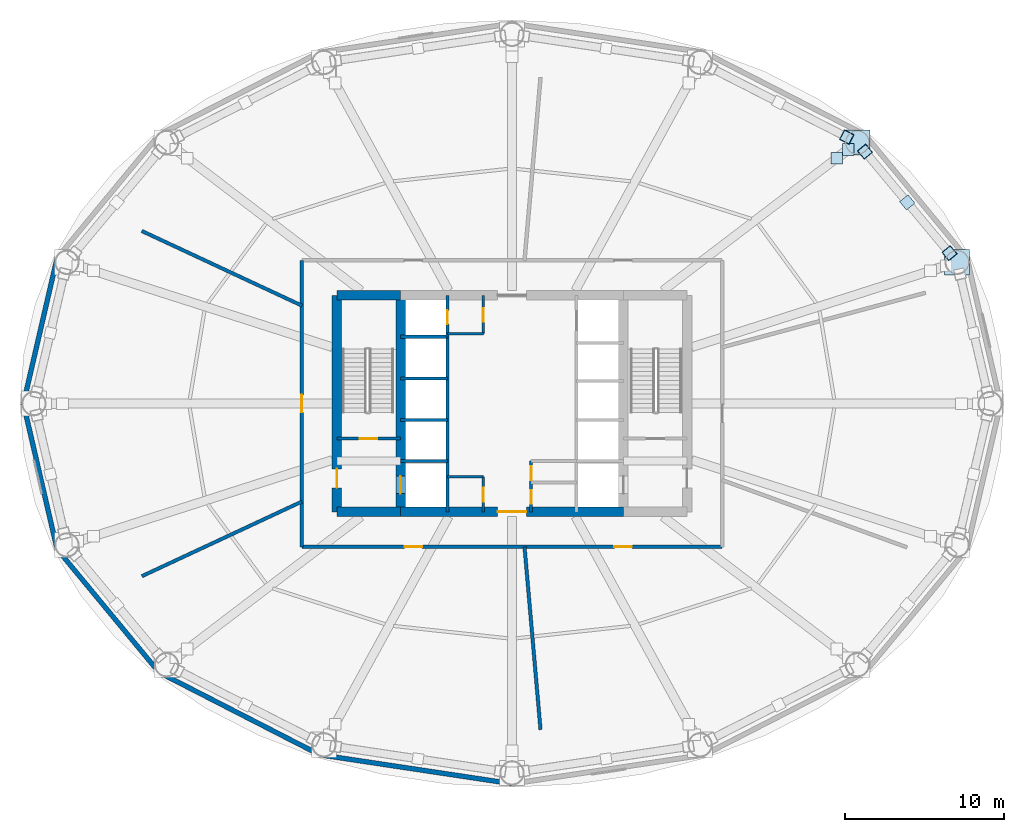
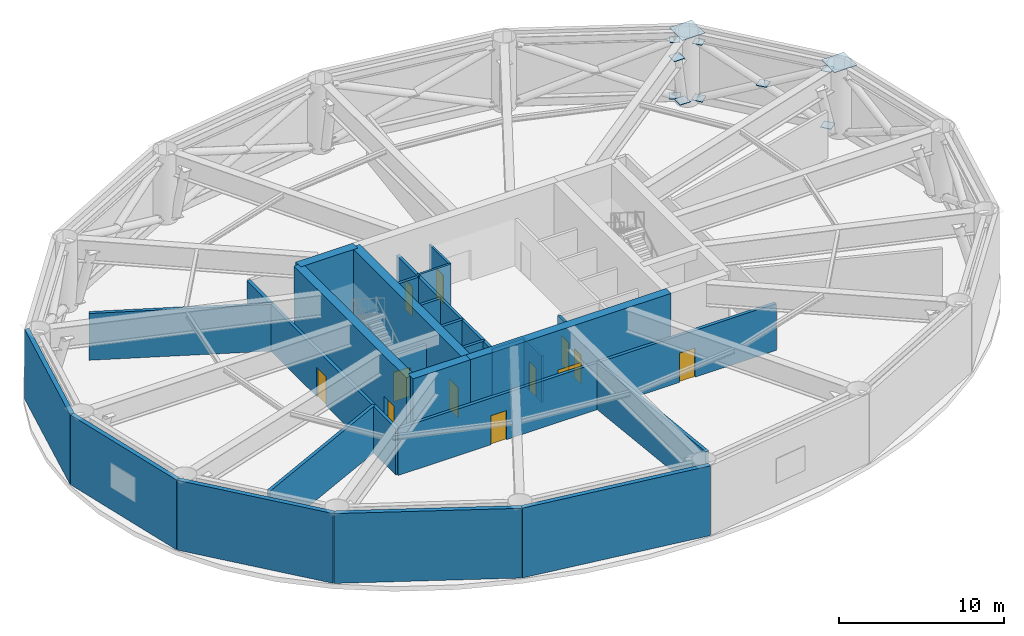
# One storey, part 5 of 7: 28 walls, 12 doors, 11 plates, 12 openings.
"""IFC4 building model written with IfcOpenShell, lengths in metres."""

from ifc_helpers import new_model, si_unit, direction, frame, frame_2d, origin, origin_2d, place, context, subcontext, project, spatial, rectangle, extrude, material, layer, layer_set, type_object, element, fill, save


model = new_model("IFC4")

# Units and contexts
model_context = context("Model", 3, precision=1e-05, world=origin(), true_north=direction((0.0, 1.0)))
body_context = subcontext(model_context, "Body", "Model", "MODEL_VIEW")
ifc_project = project(units=[si_unit("LENGTHUNIT", "METRE"), si_unit("AREAUNIT", "SQUARE_METRE"), si_unit("VOLUMEUNIT", "CUBIC_METRE"), si_unit("PLANEANGLEUNIT", "RADIAN"), si_unit("MASSUNIT", "GRAM", prefix="KILO")], contexts=[model_context])

# Site, building, storey
site_placement = place(None, origin())
site = spatial("IfcSite", under=ifc_project, at=site_placement, CompositionType="ELEMENT")
building_placement = place(site_placement, origin())
building = spatial("IfcBuilding", under=site, at=building_placement, Name="Sarneth Arch Tower", CompositionType="ELEMENT")
storey_placement = place(building_placement, frame((0.0, 0.0, 78.60009765625)))
storey = spatial("IfcBuildingStorey", under=building, at=storey_placement, Name="L19", CompositionType="ELEMENT", Elevation=78.60009765625)

# Plates
ifc_material_1 = material(Name="Steel S355", Category="steel")
ifc_layer_1 = layer(ifc_material_1, 0.035888671875)
ifc_layer_set_1 = layer_set([ifc_layer_1], Name="Steel S355")
plate_type_1 = type_object("IfcPlateType", Name="PLT-GUSSET-30", PredefinedType="SHEET", material=ifc_layer_set_1)
plate_1_placement = place(storey_placement, frame((72.8310546875, 54.6416015625, 2.4111328125), z_axis=(0.0, 0.0, 1.0), x_axis=(-0.639975598965, 0.76839523211, 0.0)))
element("IfcPlate", 1, at=plate_1_placement, inside=storey, type_object=plate_type_1, Name="Steel end cap plate GP-1", PredefinedType="SHEET", context=body_context, shape_type="SweptSolid", body=[
    extrude(rectangle(XDim=0.679931640625, YDim=0.679931640625, at=origin_2d()), origin(), (0.0, 0.0, 1.0), 0.035888671875),
])
for number, where, z_axis, x_axis, name in (
    (2, (75.485595703125, 51.45458984375, 0.33203125), (0.0, 0.0, 1.0), (0.639975598965, -0.76839523211, 0.0), "Steel end cap plate GP-1"),
    (3, (70.1767578125, 57.82861328125, 0.33203125), (0.0, 0.0, 1.0), (-0.639975598965, 0.76839523211, 0.0), "Steel end cap plate GP-1"),
):
    element("IfcPlate", number, at=place(storey_placement, frame(where, z_axis=z_axis, x_axis=x_axis)), inside=storey, type_object=plate_type_1, Name=name, PredefinedType="SHEET", context=body_context, shape_type="SweptSolid", body=[
        extrude(rectangle(XDim=0.699951171875, YDim=0.699951171875, at=origin_2d()), origin(), (0.0, 0.0, 1.0), 0.035888671875),
    ])
for number, where, z_axis, x_axis, name in (
    (4, (75.485595703125, 51.45458984375, 4.48974609375), (0.0, 0.0, 1.0), (0.639975598965, -0.76839523211, 0.0), "Steel end cap plate GP-1"),
    (5, (70.1767578125, 57.82861328125, 4.48974609375), (0.0, 0.0, 1.0), (-0.639975598965, 0.76839523211, 0.0), "Steel end cap plate GP-1"),
):
    element("IfcPlate", number, at=place(storey_placement, frame(where, z_axis=z_axis, x_axis=x_axis)), inside=storey, type_object=plate_type_1, Name=name, PredefinedType="SHEET", context=body_context, shape_type="SweptSolid", body=[
        extrude(rectangle(XDim=0.6298828125, YDim=0.6298828125, at=origin_2d()), origin(), (0.0, 0.0, 1.0), 0.035888671875),
    ])
plate_2_placement = place(storey_placement, frame((69.0283203125, 58.7451171875, 0.33203125), z_axis=(0.0, 0.0, 1.0), x_axis=(0.891164942482, -0.453679452137, 0.0)))
element("IfcPlate", 6, at=plate_2_placement, inside=storey, type_object=plate_type_1, Name="Steel end cap plate GP-1", PredefinedType="SHEET", context=body_context, shape_type="SweptSolid", body=[
    extrude(rectangle(XDim=0.699951171875, YDim=0.699951171875, at=origin_2d()), origin(), (0.0, 0.0, 1.0), 0.035888671875),
])
plate_3_placement = place(storey_placement, frame((69.0283203125, 58.7451171875, 4.48974609375), z_axis=(0.0, 0.0, 1.0), x_axis=(0.891164942482, -0.453679452137, 0.0)))
element("IfcPlate", 7, at=plate_3_placement, inside=storey, type_object=plate_type_1, Name="Steel end cap plate GP-1", PredefinedType="SHEET", context=body_context, shape_type="SweptSolid", body=[
    extrude(rectangle(XDim=0.6298828125, YDim=0.6298828125, at=origin_2d()), origin(), (0.0, 0.0, 1.0), 0.035888671875),
])
for number, where, z_axis, x_axis, name in (
    (8, (69.115966796875, 57.96240234375, 0.43212890625), (0.0, 0.0, 1.0), (1.0, 0.0, 0.0), "Steel end cap plate GP-1"),
    (9, (68.397705078125, 57.4150390625, 4.224609375), (0.0, 0.0, 1.0), (1.0, 0.0, 0.0), "Steel end cap plate GP-1"),
):
    element("IfcPlate", number, at=place(storey_placement, frame(where, z_axis=z_axis, x_axis=x_axis)), inside=storey, type_object=plate_type_1, Name=name, PredefinedType="SHEET", context=body_context, shape_type="SweptSolid", body=[
        extrude(rectangle(XDim=0.72998046875, YDim=0.72998046875, at=origin_2d()), origin(), (0.0, 0.0, 1.0), 0.035888671875),
    ])
ifc_material_2 = material(Name="Steel S355", Category="steel")
ifc_layer_2 = layer(ifc_material_2, 0.0400390625)
ifc_layer_set_2 = layer_set([ifc_layer_2], Name="Steel S355")
plate_type_2 = type_object("IfcPlateType", Name="PLT-SPLICE-40", PredefinedType="SHEET", material=ifc_layer_set_2)
for number, where, z_axis, x_axis, name in (
    (10, (75.965576171875, 50.878173828125, 5.1318359375), (0.0, 0.0, 1.0), (1.0, 0.0, 0.0), "Steel end cap plate GP-2"),
    (11, (69.696533203125, 58.40478515625, 5.1318359375), (0.0, 0.0, 1.0), (1.0, 0.0, 0.0), "Steel end cap plate GP-2"),
):
    element("IfcPlate", number, at=place(storey_placement, frame(where, z_axis=z_axis, x_axis=x_axis)), inside=storey, type_object=plate_type_2, Name=name, PredefinedType="SHEET", context=body_context, shape_type="SweptSolid", body=[
        extrude(rectangle(XDim=1.580078125, YDim=1.580078125, at=origin_2d()), origin(), (0.0, 0.0, 1.0), 0.035888671875),
    ])

# Wall
ifc_material_3 = material(Name="Concrete C60/75", Category="concrete")
ifc_layer_3 = layer(ifc_material_3, 0.60009765625)
ifc_layer_set_3 = layer_set([ifc_layer_3], Name="Concrete C60/75")
wall_type_1 = type_object("IfcWallType", Name="WALL-CORE-600", PredefinedType="SHEAR", material=ifc_layer_set_3)
wall_1_placement = place(storey_placement, frame((37.0, 35.199951171875, 0.0), z_axis=(0.0, 0.0, 1.0), x_axis=(1.0, 0.0, 0.0)))
element("IfcWall", 12, at=wall_1_placement, inside=storey, type_object=wall_type_1, Name="L19 Core shear wall S-W", PredefinedType="SHEAR", context=body_context, shape_type="SweptSolid", body=[
    extrude(rectangle(XDim=4.0, YDim=0.60009765625, at=frame_2d((2.0, 0.0))), origin(), (0.0, 0.0, 1.0), 5.14990234375),
])

# Wall, opening, door
wall_2_placement = place(storey_placement, frame((41.0, 35.199951171875, 0.0), z_axis=(0.0, 0.0, 1.0), x_axis=(1.0, 0.0, 0.0)))
wall_2 = element("IfcWall", 13, at=wall_2_placement, inside=storey, type_object=wall_type_1, Name="L19 Core shear wall S-M", PredefinedType="SHEAR", context=body_context, shape_type="SweptSolid", body=[
    extrude(rectangle(XDim=14.0, YDim=0.60009765625, at=frame_2d((7.0, 0.0))), origin(), (0.0, 0.0, 1.0), 5.14990234375),
])
opening_1_placement = place(wall_2_placement, frame((6.10009765625, 0.0, 0.0)))
opening_1 = element("IfcOpeningElement", 14, at=opening_1_placement, cuts=wall_2, Name="Opening FD-01", PredefinedType="OPENING", context=body_context, shape_type="SweptSolid", body=[
    extrude(rectangle(XDim=1.800048828125, YDim=2.25, at=frame_2d((0.89990234375, 1.125))), frame((0.0, 0.31005859375, 0.0), z_axis=(0.0, -1.0, 0.0), x_axis=(1.0, 0.0, 0.0)), (0.0, 0.0, 1.0), 0.6201171875),
])
ifc_material_4 = material(Name="Galvanised Steel S275 fire door set", Category="steel")
door_type_1 = type_object("IfcDoorType", Name="DR-FD90-1800", OperationType="DOUBLE_DOOR_SINGLE_SWING", PredefinedType="DOOR", material=ifc_material_4)
door_1_placement = place(opening_1_placement, origin())
door_1 = element("IfcDoor", 15, at=door_1_placement, inside=storey, type_object=door_type_1, Name="L19 Central lift lobby south door", OperationType="DOUBLE_DOOR_SINGLE_SWING", OverallHeight=2.25, OverallWidth=1.800048828125, PredefinedType="DOOR", context=body_context, shape_type="SweptSolid", body=[
    extrude(rectangle(XDim=1.800048828125, YDim=2.25, at=frame_2d((0.89990234375, 1.125))), frame((0.0, 0.02490234375, 0.0), z_axis=(0.0, -1.0, 0.0), x_axis=(1.0, 0.0, 0.0)), (0.0, 0.0, 1.0), 0.050048828125),
])
fill(opening_1, door_1)

# Wall
wall_3_placement = place(storey_placement, frame((37.0, 48.800048828125, 0.0), z_axis=(0.0, 0.0, 1.0), x_axis=(1.0, 0.0, 0.0)))
element("IfcWall", 16, at=wall_3_placement, inside=storey, type_object=wall_type_1, Name="L19 Core shear wall N-W", PredefinedType="SHEAR", context=body_context, shape_type="SweptSolid", body=[
    extrude(rectangle(XDim=4.0, YDim=0.60009765625, at=frame_2d((2.0, 0.0))), origin(), (0.0, 0.0, 1.0), 5.14990234375),
])

# Wall, opening, door
wall_4_placement = place(storey_placement, frame((37.0, 35.199951171875, 0.0), z_axis=(0.0, 0.0, 1.0), x_axis=(0.0, 1.0, 0.0)))
wall_4 = element("IfcWall", 17, at=wall_4_placement, inside=storey, type_object=wall_type_1, Name="L19 Core shear wall W", PredefinedType="SHEAR", context=body_context, shape_type="SweptSolid", body=[
    extrude(rectangle(XDim=13.60009765625, YDim=0.60009765625, at=frame_2d((6.800048828125, 0.0))), origin(), (0.0, 0.0, 1.0), 5.14990234375),
])
opening_2_placement = place(wall_4_placement, frame((1.5, 0.0, 0.0)))
opening_2 = element("IfcOpeningElement", 18, at=opening_2_placement, cuts=wall_4, Name="Opening FD-02", PredefinedType="OPENING", context=body_context, shape_type="SweptSolid", body=[
    extrude(rectangle(XDim=1.199951171875, YDim=2.14990234375, at=frame_2d((0.60009765625, 1.074951171875))), frame((0.0, 0.31005859375, 0.0), z_axis=(0.0, -1.0, 0.0), x_axis=(1.0, 0.0, 0.0)), (0.0, 0.0, 1.0), 0.6201171875),
])
ifc_material_5 = material(Name="Galvanised Steel S275 fire door set", Category="steel")
door_type_2 = type_object("IfcDoorType", Name="DR-FD90-1200", OperationType="SINGLE_SWING_LEFT", PredefinedType="DOOR", material=ifc_material_5)
door_2_placement = place(opening_2_placement, origin())
door_2 = element("IfcDoor", 19, at=door_2_placement, inside=storey, type_object=door_type_2, Name="L19 Firefighting lobby 1 exit door", OperationType="SINGLE_SWING_LEFT", OverallHeight=2.14990234375, OverallWidth=1.199951171875, PredefinedType="DOOR", context=body_context, shape_type="SweptSolid", body=[
    extrude(rectangle(XDim=1.199951171875, YDim=2.14990234375, at=frame_2d((0.60009765625, 1.074951171875))), frame((0.0, 0.02490234375, 0.0), z_axis=(0.0, -1.0, 0.0), x_axis=(1.0, 0.0, 0.0)), (0.0, 0.0, 1.0), 0.050048828125),
])
fill(opening_2, door_2)

wall_5_placement = place(storey_placement, frame((41.0, 35.199951171875, 0.0), z_axis=(0.0, 0.0, 1.0), x_axis=(0.0, 1.0, 0.0)))
wall_5 = element("IfcWall", 20, at=wall_5_placement, inside=storey, type_object=wall_type_1, Name="L19 Core shear wall WEB-W", PredefinedType="SHEAR", context=body_context, shape_type="SweptSolid", body=[
    extrude(rectangle(XDim=13.60009765625, YDim=0.60009765625, at=frame_2d((6.800048828125, 0.0))), origin(), (0.0, 0.0, 1.0), 5.14990234375),
])
opening_3_placement = place(wall_5_placement, frame((1.14990234375, 0.0, 0.0)))
opening_3 = element("IfcOpeningElement", 21, at=opening_3_placement, cuts=wall_5, Name="Opening LD-1", PredefinedType="OPENING", context=body_context, shape_type="SweptSolid", body=[
    extrude(rectangle(XDim=1.10009765625, YDim=2.199951171875, at=frame_2d((0.550048828125, 1.10009765625))), frame((0.0, 0.31005859375, 0.0), z_axis=(0.0, -1.0, 0.0), x_axis=(1.0, 0.0, 0.0)), (0.0, 0.0, 1.0), 0.6201171875),
])
ifc_material_6 = material(Name="Brushed Stainless Steel 304 lift landing door", Category="steel")
door_type_3 = type_object("IfcDoorType", Name="DR-LIFT-SLIDE-1100", OperationType="SLIDING_TO_LEFT", PredefinedType="DOOR", material=ifc_material_6)
door_3_placement = place(opening_3_placement, origin())
door_3 = element("IfcDoor", 22, at=door_3_placement, inside=storey, type_object=door_type_3, Name="L19 Firefighting lift landing door FL-1", OperationType="SLIDING_TO_LEFT", OverallHeight=2.199951171875, OverallWidth=1.10009765625, PredefinedType="DOOR", context=body_context, shape_type="SweptSolid", body=[
    extrude(rectangle(XDim=1.10009765625, YDim=2.199951171875, at=frame_2d((0.550048828125, 1.10009765625))), frame((0.0, 0.02490234375, 0.0), z_axis=(0.0, -1.0, 0.0), x_axis=(1.0, 0.0, 0.0)), (0.0, 0.0, 1.0), 0.050048828125),
])
fill(opening_3, door_3)

# Walls
ifc_material_7 = material(Name="Extruded terracotta rainscreen on Concrete C40/50 backing", Category="masonry")
ifc_layer_4 = layer(ifc_material_7, 0.300048828125)
ifc_layer_set_4 = layer_set([ifc_layer_4], Name="Extruded terracotta rainscreen on Concrete C40/50 backing")
wall_type_2 = type_object("IfcWallType", Name="WALL-EXT-ACOUST-300", PredefinedType="SOLIDWALL", material=ifc_layer_set_4)
for number, where, z_axis, x_axis, name in (
    (23, (19.4189453125, 51.138427734375, 0.0), (0.0, 0.0, 1.0), (-0.225454452941, -0.974253709076, 0.0), "L19 Terracotta perimeter wall 08"),
    (24, (17.30419921875, 42.0, 0.0), (0.0, 0.0, 1.0), (0.225454452941, -0.974253709076, 0.0), "L19 Terracotta perimeter wall 09"),
):
    element("IfcWall", number, at=place(storey_placement, frame(where, z_axis=z_axis, x_axis=x_axis)), inside=storey, type_object=wall_type_2, Name=name, PredefinedType="SOLIDWALL", context=body_context, shape_type="SweptSolid", body=[
        extrude(rectangle(XDim=9.3798828125, YDim=0.300048828125, at=frame_2d((4.68994140625, 0.0))), origin(), (0.0, 0.0, 1.0), 5.14990234375),
    ])
wall_6_placement = place(storey_placement, frame((19.4189453125, 32.861572265625, 0.0), z_axis=(0.0, 0.0, 1.0), x_axis=(0.637296809613, -0.770618437657, 0.0)))
element("IfcWall", 25, at=wall_6_placement, inside=storey, type_object=wall_type_2, Name="L19 Terracotta perimeter wall 10", PredefinedType="SOLIDWALL", context=body_context, shape_type="SweptSolid", body=[
    extrude(rectangle(XDim=10.053466796875, YDim=0.300048828125, at=frame_2d((5.02685546875, 0.0))), origin(), (0.0, 0.0, 1.0), 5.14990234375),
])
wall_7_placement = place(storey_placement, frame((25.825927734375, 25.1142578125, 0.0), z_axis=(0.0, 0.0, 1.0), x_axis=(0.889853976658, -0.456245438581, 0.0)))
element("IfcWall", 26, at=wall_7_placement, inside=storey, type_object=wall_type_2, Name="L19 Terracotta perimeter wall 11", PredefinedType="SOLIDWALL", context=body_context, shape_type="SweptSolid", body=[
    extrude(rectangle(XDim=11.345947265625, YDim=0.300048828125, at=frame_2d((5.6728515625, 0.0))), origin(), (0.0, 0.0, 1.0), 5.14990234375),
])
wall_8_placement = place(storey_placement, frame((35.922119140625, 19.937744140625, 0.0), z_axis=(0.0, 0.0, 1.0), x_axis=(0.988864835849, -0.148816452121, 0.0)))
element("IfcWall", 27, at=wall_8_placement, inside=storey, type_object=wall_type_2, Name="L19 Terracotta perimeter wall 12", PredefinedType="SOLIDWALL", context=body_context, shape_type="SweptSolid", body=[
    extrude(rectangle(XDim=12.2138671875, YDim=0.300048828125, at=frame_2d((6.10693359375, 0.0))), origin(), (0.0, 0.0, 1.0), 5.14990234375),
])

# Wall, openings, doors
ifc_material_8 = material(Name="Aerated concrete blockwork C25/30", Category="masonry")
ifc_layer_5 = layer(ifc_material_8, 0.219970703125)
ifc_layer_set_5 = layer_set([ifc_layer_5], Name="Aerated concrete blockwork C25/30")
wall_type_3 = type_object("IfcWallType", Name="WALL-FIRE-220", PredefinedType="SOLIDWALL", material=ifc_layer_set_5)
wall_9_placement = place(storey_placement, frame((61.199951171875, 33.0, 0.0), z_axis=(0.0, 0.0, 1.0), x_axis=(-1.0, 0.0, 0.0)))
wall_9 = element("IfcWall", 28, at=wall_9_placement, inside=storey, type_object=wall_type_3, Name="L19 Interior partition W-L19-TP-006", PredefinedType="SOLIDWALL", context=body_context, shape_type="SweptSolid", body=[
    extrude(rectangle(XDim=26.39990234375, YDim=0.219970703125, at=frame_2d((13.199951171875, 0.0))), origin(), (0.0, 0.0, 1.0), 3.449951171875),
])
opening_4_placement = place(wall_9_placement, frame((18.84033203125, 0.0, 0.0)))
opening_4 = element("IfcOpeningElement", 29, at=opening_4_placement, cuts=wall_9, Name="Opening FD-03", PredefinedType="OPENING", context=body_context, shape_type="SweptSolid", body=[
    extrude(rectangle(XDim=1.10009765625, YDim=2.14990234375, at=frame_2d((0.550048828125, 1.074951171875))), frame((0.0, 0.119873046875, 0.0), z_axis=(0.0, -1.0, 0.0), x_axis=(1.0, 0.0, 0.0)), (0.0, 0.0, 1.0), 0.239990234375),
])
opening_5_placement = place(wall_9_placement, frame((5.67236328125, 0.0, 0.0)))
opening_5 = element("IfcOpeningElement", 30, at=opening_5_placement, cuts=wall_9, Name="Opening FD-03", PredefinedType="OPENING", context=body_context, shape_type="SweptSolid", body=[
    extrude(rectangle(XDim=1.10009765625, YDim=2.14990234375, at=frame_2d((0.550048828125, 1.074951171875))), frame((0.0, 0.119873046875, 0.0), z_axis=(0.0, -1.0, 0.0), x_axis=(1.0, 0.0, 0.0)), (0.0, 0.0, 1.0), 0.239990234375),
])
ifc_material_9 = material(Name="Galvanised Steel S275 fire door set", Category="steel")
door_type_4 = type_object("IfcDoorType", Name="DR-FD90-1100", OperationType="SINGLE_SWING_LEFT", PredefinedType="DOOR", material=ifc_material_9)
door_4_placement = place(opening_4_placement, origin())
door_4 = element("IfcDoor", 31, at=door_4_placement, inside=storey, type_object=door_type_4, Name="L19 Interior door DR-L19-PSEC-4", OperationType="SINGLE_SWING_RIGHT", OverallHeight=2.14990234375, OverallWidth=1.10009765625, PredefinedType="DOOR", context=body_context, shape_type="SweptSolid", body=[
    extrude(rectangle(XDim=1.10009765625, YDim=2.14990234375, at=frame_2d((0.550048828125, 1.074951171875))), frame((0.0, 0.02490234375, 0.0), z_axis=(0.0, -1.0, 0.0), x_axis=(1.0, 0.0, 0.0)), (0.0, 0.0, 1.0), 0.050048828125),
])
fill(opening_4, door_4)
door_5_placement = place(opening_5_placement, origin())
door_5 = element("IfcDoor", 32, at=door_5_placement, inside=storey, type_object=door_type_4, Name="L19 Interior door DR-L19-PSEC-5", OperationType="SINGLE_SWING_RIGHT", OverallHeight=2.14990234375, OverallWidth=1.10009765625, PredefinedType="DOOR", context=body_context, shape_type="SweptSolid", body=[
    extrude(rectangle(XDim=1.10009765625, YDim=2.14990234375, at=frame_2d((0.550048828125, 1.074951171875))), frame((0.0, 0.02490234375, 0.0), z_axis=(0.0, -1.0, 0.0), x_axis=(1.0, 0.0, 0.0)), (0.0, 0.0, 1.0), 0.050048828125),
])
fill(opening_5, door_5)

# Wall, opening, door
wall_10_placement = place(storey_placement, frame((34.800048828125, 33.0, 0.0), z_axis=(0.0, 0.0, 1.0), x_axis=(0.0, 1.0, 0.0)))
wall_10 = element("IfcWall", 33, at=wall_10_placement, inside=storey, type_object=wall_type_3, Name="L19 Interior partition W-L19-TP-005", PredefinedType="SOLIDWALL", context=body_context, shape_type="SweptSolid", body=[
    extrude(rectangle(XDim=18.0, YDim=0.219970703125, at=frame_2d((9.0, 0.0))), origin(), (0.0, 0.0, 1.0), 3.449951171875),
])
opening_6_placement = place(wall_10_placement, frame((8.449951171875, 0.0, 0.0)))
opening_6 = element("IfcOpeningElement", 34, at=opening_6_placement, cuts=wall_10, Name="Opening FD-03", PredefinedType="OPENING", context=body_context, shape_type="SweptSolid", body=[
    extrude(rectangle(XDim=1.10009765625, YDim=2.14990234375, at=frame_2d((0.550048828125, 1.074951171875))), frame((0.0, 0.119873046875, 0.0), z_axis=(0.0, -1.0, 0.0), x_axis=(1.0, 0.0, 0.0)), (0.0, 0.0, 1.0), 0.239990234375),
])
door_6_placement = place(opening_6_placement, origin())
door_6 = element("IfcDoor", 35, at=door_6_placement, inside=storey, type_object=door_type_4, Name="L19 Interior door DR-L19-PSEC-3", OperationType="SINGLE_SWING_LEFT", OverallHeight=2.14990234375, OverallWidth=1.10009765625, PredefinedType="DOOR", context=body_context, shape_type="SweptSolid", body=[
    extrude(rectangle(XDim=1.10009765625, YDim=2.14990234375, at=frame_2d((0.550048828125, 1.074951171875))), frame((0.0, 0.02490234375, 0.0), z_axis=(0.0, -1.0, 0.0), x_axis=(1.0, 0.0, 0.0)), (0.0, 0.0, 1.0), 0.050048828125),
])
fill(opening_6, door_6)

# Walls
wall_11_placement = place(storey_placement, frame((49.79248046875, 21.51025390625, 0.0), z_axis=(0.0, 0.0, 1.0), x_axis=(-0.087147518891, 0.996195417552, 0.0)))
element("IfcWall", 36, at=wall_11_placement, inside=storey, type_object=wall_type_3, Name="L19 Interior partition W-L19-TP-015", PredefinedType="SOLIDWALL", context=body_context, shape_type="SweptSolid", body=[
    extrude(rectangle(XDim=11.53369140625, YDim=0.219970703125, at=frame_2d((5.766845703125, 0.0))), origin(), (0.0, 0.0, 1.0), 3.449951171875),
])
for number, where, z_axis, x_axis, name in (
    (37, (24.7421875, 52.84521484375, 0.0), (0.0, 0.0, 1.0), (0.906311802903, -0.422609649581, 0.0), "L19 Interior partition W-L19-TP-013"),
    (38, (34.800048828125, 35.8447265625, 0.0), (0.0, 0.0, 1.0), (-0.906311802903, -0.422609649581, 0.0), "L19 Interior partition W-L19-TP-014"),
):
    element("IfcWall", number, at=place(storey_placement, frame(where, z_axis=z_axis, x_axis=x_axis)), inside=storey, type_object=wall_type_3, Name=name, PredefinedType="SOLIDWALL", context=body_context, shape_type="SweptSolid", body=[
        extrude(rectangle(XDim=11.09765625, YDim=0.219970703125, at=frame_2d((5.548828125, 0.0))), origin(), (0.0, 0.0, 1.0), 3.449951171875),
    ])
ifc_material_10 = material(Name="Acoustic gypsum stud partition", Category="gypsum")
ifc_layer_6 = layer(ifc_material_10, 0.14990234375)
ifc_layer_set_6 = layer_set([ifc_layer_6], Name="Acoustic gypsum stud partition")
wall_type_4 = type_object("IfcWallType", Name="WALL-PART-150", PredefinedType="PARTITIONING", material=ifc_layer_set_6)
wall_12_placement = place(storey_placement, frame((43.949951171875, 37.39990234375, 0.0), z_axis=(0.0, 0.0, 1.0), x_axis=(1.0, 0.0, 0.0)))
element("IfcWall", 39, at=wall_12_placement, inside=storey, type_object=wall_type_4, Name="L19 Interior partition W-L19-CSUP1-N", PredefinedType="PARTITIONING", context=body_context, shape_type="SweptSolid", body=[
    extrude(rectangle(XDim=2.25, YDim=0.14990234375, at=frame_2d((1.125, 0.0))), origin(), (0.0, 0.0, 1.0), 3.449951171875),
])

# Wall, opening, door
wall_13_placement = place(storey_placement, frame((46.199951171875, 35.199951171875, 0.0), z_axis=(0.0, 0.0, 1.0), x_axis=(0.0, 1.0, 0.0)))
wall_13 = element("IfcWall", 40, at=wall_13_placement, inside=storey, type_object=wall_type_4, Name="L19 Interior partition W-L19-CSUP1-E", PredefinedType="PARTITIONING", context=body_context, shape_type="SweptSolid", body=[
    extrude(rectangle(XDim=2.199951171875, YDim=0.14990234375, at=frame_2d((1.10009765625, 0.0))), origin(), (0.0, 0.0, 1.0), 3.449951171875),
])
opening_7_placement = place(wall_13_placement, frame((0.64990234375, 0.0, 0.0)))
opening_7 = element("IfcOpeningElement", 41, at=opening_7_placement, cuts=wall_13, Name="Opening FD-11", PredefinedType="OPENING", context=body_context, shape_type="SweptSolid", body=[
    extrude(rectangle(XDim=0.85009765625, YDim=2.14990234375, at=frame_2d((0.425048828125, 1.074951171875))), frame((0.0, 0.0849609375, 0.0), z_axis=(0.0, -1.0, 0.0), x_axis=(1.0, 0.0, 0.0)), (0.0, 0.0, 1.0), 0.169921875),
])
ifc_material_11 = material(Name="Galvanised Steel S275 closet fire door", Category="steel")
door_type_5 = type_object("IfcDoorType", Name="DR-FD60-850", OperationType="SINGLE_SWING_LEFT", PredefinedType="DOOR", material=ifc_material_11)
door_7_placement = place(opening_7_placement, origin())
door_7 = element("IfcDoor", 42, at=door_7_placement, inside=storey, type_object=door_type_5, Name="L19 Interior door DR-L19-CSUP1", OperationType="SINGLE_SWING_LEFT", OverallHeight=2.14990234375, OverallWidth=0.85009765625, PredefinedType="DOOR", context=body_context, shape_type="SweptSolid", body=[
    extrude(rectangle(XDim=0.85009765625, YDim=2.14990234375, at=frame_2d((0.425048828125, 1.074951171875))), frame((0.0, 0.02490234375, 0.0), z_axis=(0.0, -1.0, 0.0), x_axis=(1.0, 0.0, 0.0)), (0.0, 0.0, 1.0), 0.050048828125),
])
fill(opening_7, door_7)

# Wall
wall_14_placement = place(storey_placement, frame((43.949951171875, 46.39990234375, 0.0), z_axis=(0.0, 0.0, 1.0), x_axis=(1.0, 0.0, 0.0)))
element("IfcWall", 43, at=wall_14_placement, inside=storey, type_object=wall_type_4, Name="L19 Interior partition W-L19-CSUP2-S", PredefinedType="PARTITIONING", context=body_context, shape_type="SweptSolid", body=[
    extrude(rectangle(XDim=2.25, YDim=0.14990234375, at=frame_2d((1.125, 0.0))), origin(), (0.0, 0.0, 1.0), 3.449951171875),
])

# Wall, opening, door
wall_15_placement = place(storey_placement, frame((46.199951171875, 46.39990234375, 0.0), z_axis=(0.0, 0.0, 1.0), x_axis=(0.0, 1.0, 0.0)))
wall_15 = element("IfcWall", 44, at=wall_15_placement, inside=storey, type_object=wall_type_4, Name="L19 Interior partition W-L19-CSUP2-E", PredefinedType="PARTITIONING", context=body_context, shape_type="SweptSolid", body=[
    extrude(rectangle(XDim=2.400146484375, YDim=0.14990234375, at=frame_2d((1.2001953125, 0.0))), origin(), (0.0, 0.0, 1.0), 3.449951171875),
])
opening_8_placement = place(wall_15_placement, frame((0.75, 0.0, 0.0)))
opening_8 = element("IfcOpeningElement", 45, at=opening_8_placement, cuts=wall_15, Name="Opening FD-11", PredefinedType="OPENING", context=body_context, shape_type="SweptSolid", body=[
    extrude(rectangle(XDim=0.85009765625, YDim=2.14990234375, at=frame_2d((0.425048828125, 1.074951171875))), frame((0.0, 0.0849609375, 0.0), z_axis=(0.0, -1.0, 0.0), x_axis=(1.0, 0.0, 0.0)), (0.0, 0.0, 1.0), 0.169921875),
])
door_8_placement = place(opening_8_placement, origin())
door_8 = element("IfcDoor", 46, at=door_8_placement, inside=storey, type_object=door_type_5, Name="L19 Interior door DR-L19-CSUP2", OperationType="SINGLE_SWING_RIGHT", OverallHeight=2.14990234375, OverallWidth=0.85009765625, PredefinedType="DOOR", context=body_context, shape_type="SweptSolid", body=[
    extrude(rectangle(XDim=0.85009765625, YDim=2.14990234375, at=frame_2d((0.425048828125, 1.074951171875))), frame((0.0, 0.02490234375, 0.0), z_axis=(0.0, -1.0, 0.0), x_axis=(1.0, 0.0, 0.0)), (0.0, 0.0, 1.0), 0.050048828125),
])
fill(opening_8, door_8)

# Wall, openings, doors
ifc_material_12 = material(Name="Moisture-resistant plumbing chase wall", Category="gypsum")
ifc_layer_7 = layer(ifc_material_12, 0.179931640625)
ifc_layer_set_7 = layer_set([ifc_layer_7], Name="Moisture-resistant plumbing chase wall")
wall_type_5 = type_object("IfcWallType", Name="WALL-PLUMB-180", PredefinedType="PLUMBINGWALL", material=ifc_layer_set_7)
wall_16_placement = place(storey_placement, frame((49.199951171875, 35.199951171875, 0.0), z_axis=(0.0, 0.0, 1.0), x_axis=(0.0, 1.0, 0.0)))
wall_16 = element("IfcWall", 47, at=wall_16_placement, inside=storey, type_object=wall_type_5, Name="L19 Interior partition W-L19-AWC-W", PredefinedType="PLUMBINGWALL", context=body_context, shape_type="SweptSolid", body=[
    extrude(rectangle(XDim=3.199951171875, YDim=0.179931640625, at=frame_2d((1.60009765625, 0.0))), origin(), (0.0, 0.0, 1.0), 3.449951171875),
])
opening_9_placement = place(wall_16_placement, frame((0.5, 0.0, 0.0)))
opening_9 = element("IfcOpeningElement", 48, at=opening_9_placement, cuts=wall_16, Name="Opening ID-02", PredefinedType="OPENING", context=body_context, shape_type="SweptSolid", body=[
    extrude(rectangle(XDim=0.85009765625, YDim=2.10009765625, at=frame_2d((0.425048828125, 1.050048828125))), frame((0.0, 0.099853515625, 0.0), z_axis=(0.0, -1.0, 0.0), x_axis=(1.0, 0.0, 0.0)), (0.0, 0.0, 1.0), 0.199951171875),
])
opening_10_placement = place(wall_16_placement, frame((2.0, 0.0, 0.0)))
opening_10 = element("IfcOpeningElement", 49, at=opening_10_placement, cuts=wall_16, Name="Opening FD-11", PredefinedType="OPENING", context=body_context, shape_type="SweptSolid", body=[
    extrude(rectangle(XDim=0.85009765625, YDim=2.14990234375, at=frame_2d((0.425048828125, 1.074951171875))), frame((0.0, 0.099853515625, 0.0), z_axis=(0.0, -1.0, 0.0), x_axis=(1.0, 0.0, 0.0)), (0.0, 0.0, 1.0), 0.199951171875),
])
door_9_placement = place(opening_10_placement, origin())
door_9 = element("IfcDoor", 50, at=door_9_placement, inside=storey, type_object=door_type_5, Name="L19 Interior door DR-L19-CSUP3", OperationType="SINGLE_SWING_LEFT", OverallHeight=2.14990234375, OverallWidth=0.85009765625, PredefinedType="DOOR", context=body_context, shape_type="SweptSolid", body=[
    extrude(rectangle(XDim=0.85009765625, YDim=2.14990234375, at=frame_2d((0.425048828125, 1.074951171875))), frame((0.0, 0.02490234375, 0.0), z_axis=(0.0, -1.0, 0.0), x_axis=(1.0, 0.0, 0.0)), (0.0, 0.0, 1.0), 0.050048828125),
])
fill(opening_10, door_9)
ifc_material_13 = material(Name="Moisture-resistant bathroom timber door", Category="wood")
door_type_6 = type_object("IfcDoorType", Name="DR-INT-850", OperationType="SINGLE_SWING_RIGHT", PredefinedType="DOOR", material=ifc_material_13)
door_10_placement = place(opening_9_placement, origin())
door_10 = element("IfcDoor", 51, at=door_10_placement, inside=storey, type_object=door_type_6, Name="L19 Interior door DR-L19-AWC", OperationType="SINGLE_SWING_RIGHT", OverallHeight=2.10009765625, OverallWidth=0.85009765625, PredefinedType="DOOR", context=body_context, shape_type="SweptSolid", body=[
    extrude(rectangle(XDim=0.85009765625, YDim=2.10009765625, at=frame_2d((0.425048828125, 1.050048828125))), frame((0.0, 0.02490234375, 0.0), z_axis=(0.0, -1.0, 0.0), x_axis=(1.0, 0.0, 0.0)), (0.0, 0.0, 1.0), 0.050048828125),
])
fill(opening_9, door_10)

# Wall, opening, door
ifc_material_14 = material(Name="Aerated concrete blockwork C25/30", Category="masonry")
ifc_layer_8 = layer(ifc_material_14, 0.199951171875)
ifc_layer_set_8 = layer_set([ifc_layer_8], Name="Aerated concrete blockwork C25/30")
wall_type_6 = type_object("IfcWallType", Name="WALL-SHAFT-200", PredefinedType="SOLIDWALL", material=ifc_layer_set_8)
wall_17_placement = place(storey_placement, frame((37.0, 39.800048828125, 0.0), z_axis=(0.0, 0.0, 1.0), x_axis=(1.0, 0.0, 0.0)))
wall_17 = element("IfcWall", 52, at=wall_17_placement, inside=storey, type_object=wall_type_6, Name="L19 Interior partition W-L19-ST1-S", PredefinedType="SOLIDWALL", context=body_context, shape_type="SweptSolid", body=[
    extrude(rectangle(XDim=4.0, YDim=0.199951171875, at=frame_2d((2.0, 0.0))), origin(), (0.0, 0.0, 1.0), 3.449951171875),
])
opening_11_placement = place(wall_17_placement, frame((1.449951171875, 0.0, 0.0)))
opening_11 = element("IfcOpeningElement", 53, at=opening_11_placement, cuts=wall_17, Name="Opening FD-03", PredefinedType="OPENING", context=body_context, shape_type="SweptSolid", body=[
    extrude(rectangle(XDim=1.10009765625, YDim=2.14990234375, at=frame_2d((0.550048828125, 1.074951171875))), frame((0.0, 0.10986328125, 0.0), z_axis=(0.0, -1.0, 0.0), x_axis=(1.0, 0.0, 0.0)), (0.0, 0.0, 1.0), 0.219970703125),
])
door_11_placement = place(opening_11_placement, origin())
door_11 = element("IfcDoor", 54, at=door_11_placement, inside=storey, type_object=door_type_4, Name="L19 Interior door DR-L19-ST1", OperationType="SINGLE_SWING_LEFT", OverallHeight=2.14990234375, OverallWidth=1.10009765625, PredefinedType="DOOR", context=body_context, shape_type="SweptSolid", body=[
    extrude(rectangle(XDim=1.10009765625, YDim=2.14990234375, at=frame_2d((0.550048828125, 1.074951171875))), frame((0.0, 0.02490234375, 0.0), z_axis=(0.0, -1.0, 0.0), x_axis=(1.0, 0.0, 0.0)), (0.0, 0.0, 1.0), 0.050048828125),
])
fill(opening_11, door_11)

# Walls
wall_18_placement = place(storey_placement, frame((43.949951171875, 35.199951171875, 0.0), z_axis=(0.0, 0.0, 1.0), x_axis=(0.0, 1.0, 0.0)))
element("IfcWall", 55, at=wall_18_placement, inside=storey, type_object=wall_type_6, Name="L19 Interior partition W-L19-FL1-E", PredefinedType="SOLIDWALL", context=body_context, shape_type="SweptSolid", body=[
    extrude(rectangle(XDim=3.199951171875, YDim=0.199951171875, at=frame_2d((1.60009765625, 0.0))), origin(), (0.0, 0.0, 1.0), 3.449951171875),
])
for number, where, z_axis, x_axis, name in (
    (56, (41.0, 38.39990234375, 0.0), (0.0, 0.0, 1.0), (1.0, 0.0, 0.0), "L19 Interior partition W-L19-FL1-N"),
    (57, (41.0, 46.199951171875, 0.0), (0.0, 0.0, 1.0), (1.0, 0.0, 0.0), "L19 Interior partition W-L19-RISER-S"),
):
    element("IfcWall", number, at=place(storey_placement, frame(where, z_axis=z_axis, x_axis=x_axis)), inside=storey, type_object=wall_type_6, Name=name, PredefinedType="SOLIDWALL", context=body_context, shape_type="SweptSolid", body=[
        extrude(rectangle(XDim=2.949951171875, YDim=0.199951171875, at=frame_2d((1.47509765625, 0.0))), origin(), (0.0, 0.0, 1.0), 3.449951171875),
    ])

# Wall, opening, door
wall_19_placement = place(storey_placement, frame((43.949951171875, 46.199951171875, 0.0), z_axis=(0.0, 0.0, 1.0), x_axis=(0.0, 1.0, 0.0)))
wall_19 = element("IfcWall", 58, at=wall_19_placement, inside=storey, type_object=wall_type_6, Name="L19 Interior partition W-L19-RISER-E", PredefinedType="SOLIDWALL", context=body_context, shape_type="SweptSolid", body=[
    extrude(rectangle(XDim=2.60009765625, YDim=0.199951171875, at=frame_2d((1.300048828125, 0.0))), origin(), (0.0, 0.0, 1.0), 3.449951171875),
])
opening_12_placement = place(wall_19_placement, frame((0.800048828125, 0.0, 0.0)))
opening_12 = element("IfcOpeningElement", 59, at=opening_12_placement, cuts=wall_19, Name="Opening FD-11", PredefinedType="OPENING", context=body_context, shape_type="SweptSolid", body=[
    extrude(rectangle(XDim=0.85009765625, YDim=2.14990234375, at=frame_2d((0.425048828125, 1.074951171875))), frame((0.0, 0.10986328125, 0.0), z_axis=(0.0, -1.0, 0.0), x_axis=(1.0, 0.0, 0.0)), (0.0, 0.0, 1.0), 0.219970703125),
])
door_12_placement = place(opening_12_placement, origin())
door_12 = element("IfcDoor", 60, at=door_12_placement, inside=storey, type_object=door_type_5, Name="L19 Lift landing door DR-L19-RISER", OperationType="SINGLE_SWING_LEFT", OverallHeight=2.14990234375, OverallWidth=0.85009765625, PredefinedType="DOOR", context=body_context, shape_type="SweptSolid", body=[
    extrude(rectangle(XDim=0.85009765625, YDim=2.14990234375, at=frame_2d((0.425048828125, 1.074951171875))), frame((0.0, 0.02490234375, 0.0), z_axis=(0.0, -1.0, 0.0), x_axis=(1.0, 0.0, 0.0)), (0.0, 0.0, 1.0), 0.050048828125),
])
fill(opening_12, door_12)

# Walls
wall_20_placement = place(storey_placement, frame((43.949951171875, 38.39990234375, 0.0), z_axis=(0.0, 0.0, 1.0), x_axis=(0.0, 1.0, 0.0)))
element("IfcWall", 61, at=wall_20_placement, inside=storey, type_object=wall_type_6, Name="L19 Interior partition W-L19-WESTBANK-FRONT", PredefinedType="SOLIDWALL", context=body_context, shape_type="SweptSolid", body=[
    extrude(rectangle(XDim=7.800048828125, YDim=0.199951171875, at=frame_2d((3.89990234375, 0.0))), origin(), (0.0, 0.0, 1.0), 3.449951171875),
])
for number, where, z_axis, x_axis, name in (
    (62, (41.0, 40.97998046875, 0.0), (0.0, 0.0, 1.0), (1.0, 0.0, 0.0), "L19 Interior partition W-L19-WB-DIV-4098"),
    (63, (41.0, 43.580078125, 0.0), (0.0, 0.0, 1.0), (1.0, 0.0, 0.0), "L19 Interior partition W-L19-WB-DIV-4358"),
):
    element("IfcWall", number, at=place(storey_placement, frame(where, z_axis=z_axis, x_axis=x_axis)), inside=storey, type_object=wall_type_6, Name=name, PredefinedType="SOLIDWALL", context=body_context, shape_type="SweptSolid", body=[
        extrude(rectangle(XDim=2.949951171875, YDim=0.199951171875, at=frame_2d((1.47509765625, 0.0))), origin(), (0.0, 0.0, 1.0), 3.449951171875),
    ])

save(model, "model.ifc")
